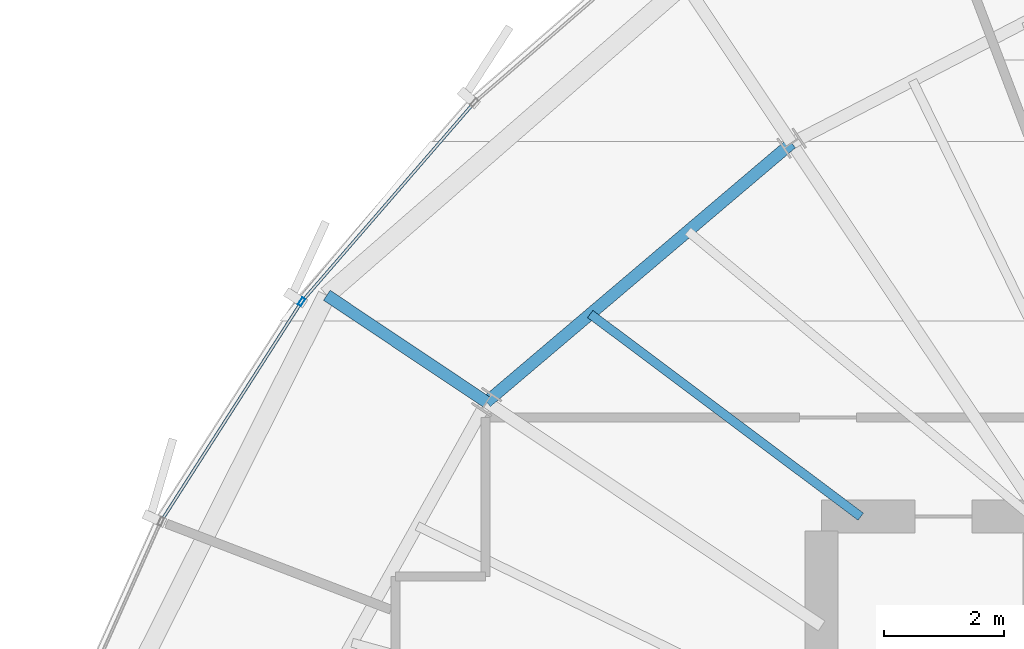
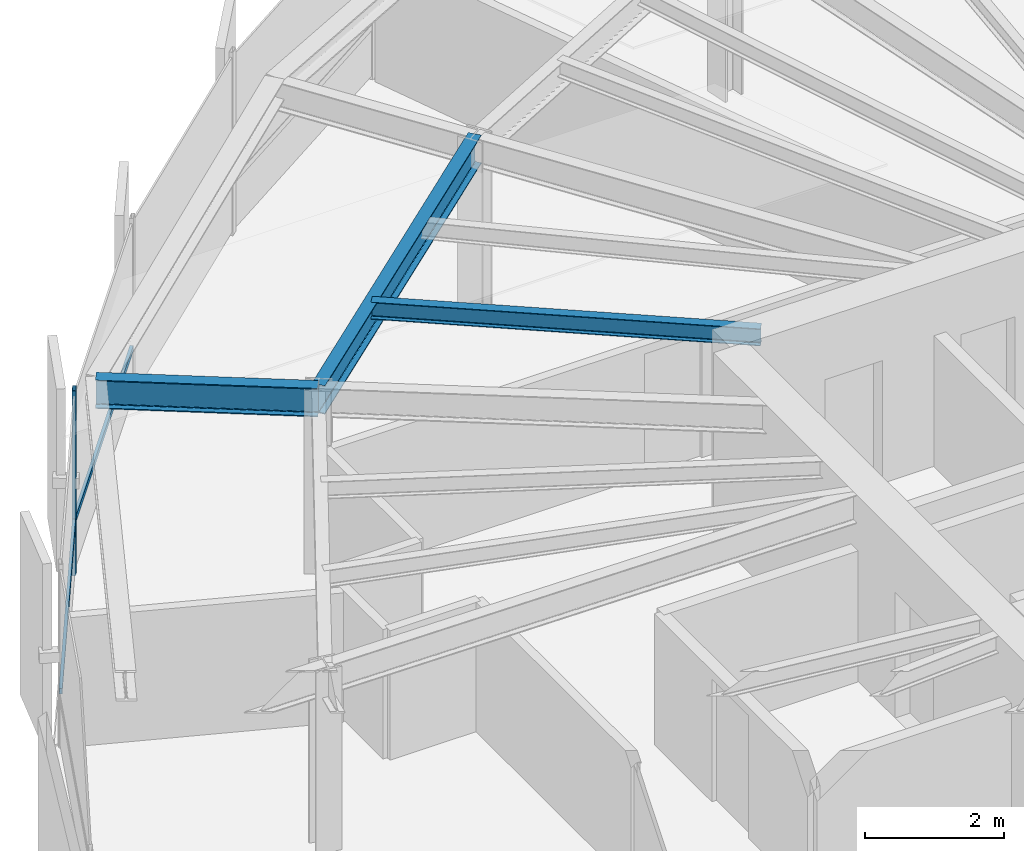
# One storey, part 18 of 34: 3 beams, 3 members, 1 element without a shape of its own.
"""IFC4 building model written with IfcOpenShell, lengths in metres."""

from ifc_helpers import new_model, si_unit, direction, frame, origin, origin_2d, place, context, subcontext, project, spatial, hollow_rectangle, i_section, extrude, source, transform, mapped, material, layer, layer_set, material_profile, profile_set, type_object, element, aggregate, save


model = new_model("IFC4")

# Units and contexts
model_context = context("Model", 3, precision=1e-05, world=origin(), true_north=direction((0.0, 1.0)))
body_context = subcontext(model_context, "Body", "Model", "MODEL_VIEW")
ifc_project = project(units=[si_unit("LENGTHUNIT", "METRE"), si_unit("AREAUNIT", "SQUARE_METRE"), si_unit("VOLUMEUNIT", "CUBIC_METRE"), si_unit("PLANEANGLEUNIT", "RADIAN"), si_unit("MASSUNIT", "GRAM", prefix="KILO"), si_unit("THERMODYNAMICTEMPERATUREUNIT", "KELVIN")], contexts=[model_context])

# Site, building, storey
site_placement = place(None, origin())
site = spatial("IfcSite", under=ifc_project, at=site_placement, CompositionType="ELEMENT")
building_placement = place(site_placement, origin())
building = spatial("IfcBuilding", under=site, at=building_placement, Name="Kethvar Cultural Tower", CompositionType="ELEMENT")
storey_placement = place(building_placement, frame((0.0, 0.0, 214.89990234375)))
storey = spatial("IfcBuildingStorey", under=building, at=storey_placement, Name="L56", CompositionType="ELEMENT", Elevation=214.89990234375)

# Beams
ifc_material_1 = material(Name="Steel S355J2", Category="steel")
ifc_material_profile_1 = material_profile(ifc_material_1, i_section(OverallWidth=0.199951171875, OverallDepth=0.5, WebThickness=0.01025390625, FlangeThickness=0.01611328125, FilletRadius=0.02099609375, at=origin_2d()), Name="Steel S355J2 — IPE500")
ifc_profile_set_1 = profile_set([ifc_material_profile_1], Name="Steel S355J2 — IPE500")
beam_type_1 = type_object("IfcBeamType", Name="BM-IPE500", PredefinedType="BEAM", material=ifc_profile_set_1)
shared_shape_1 = source(origin(), body_context, "Body", "SweptSolid", [
    extrude(i_section(OverallWidth=0.199951171875, OverallDepth=0.5, WebThickness=0.01025390625, FlangeThickness=0.01611328125, FilletRadius=0.02099609375, at=origin_2d()), origin(), (0.0, 0.0, 1.0), 3.199951171875),
])
beam_1_placement = place(storey_placement, frame((32.418212890625, 37.409423828125, 2.988037109375), z_axis=(-0.831462943996, 0.555580212716, 0.0), x_axis=(-0.555580212716, -0.831462943996, 0.0)))
element("IfcBeam", 1, at=beam_1_placement, inside=storey, type_object=beam_type_1, Name="L56 Perimeter Cantilever Beam RC-07", PredefinedType="BEAM", context=body_context, shape_type="MappedRepresentation", body=[
    mapped(shared_shape_1, transform((0.0, 0.0, 0.0), scale=1.0)),
])
shared_shape_2 = source(origin(), body_context, "Body", "SweptSolid", [
    extrude(i_section(OverallWidth=0.199951171875, OverallDepth=0.5, WebThickness=0.01025390625, FlangeThickness=0.01611328125, FilletRadius=0.02099609375, at=origin_2d()), origin(), (0.0, 0.0, 1.0), 6.6630859375),
])
beam_2_placement = place(storey_placement, frame((37.498779296875, 41.720458984375, 2.988037109375), z_axis=(-0.762490511547, -0.646999397064, 0.0), x_axis=(0.646999397064, -0.762490511547, 0.0)))
element("IfcBeam", 2, at=beam_2_placement, inside=storey, type_object=beam_type_1, Name="L56 Column Ring Tie Beam CR-06", PredefinedType="BEAM", context=body_context, shape_type="MappedRepresentation", body=[
    mapped(shared_shape_2, transform((0.0, 0.0, 0.0), scale=1.0)),
])
ifc_material_profile_2 = material_profile(ifc_material_1, i_section(OverallWidth=0.14990234375, OverallDepth=0.300048828125, WebThickness=0.007080078125, FlangeThickness=0.0107421875, FilletRadius=0.014892578125, at=origin_2d()), Name="Steel S355J2 — IPE300")
ifc_profile_set_2 = profile_set([ifc_material_profile_2], Name="Steel S355J2 — IPE300")
beam_type_2 = type_object("IfcBeamType", Name="BM-J300", PredefinedType="JOIST", material=ifc_profile_set_2)
shared_shape_3 = source(origin(), body_context, "Body", "SweptSolid", [
    extrude(i_section(OverallWidth=0.14990234375, OverallDepth=0.300048828125, WebThickness=0.007080078125, FlangeThickness=0.0107421875, FilletRadius=0.014892578125, at=origin_2d()), origin(), (0.0, 0.0, 1.0), 5.628662109375),
])
beam_3_placement = place(storey_placement, frame((38.64990234375, 35.5, 3.088134765625), z_axis=(-0.800260171956, 0.599652947279, 0.0), x_axis=(-0.599652947279, -0.800260171956, 0.0)))
element("IfcBeam", 3, at=beam_3_placement, inside=storey, type_object=beam_type_2, Name="L56 Composite Floor Joist J-06B", PredefinedType="JOIST", context=body_context, shape_type="MappedRepresentation", body=[
    mapped(shared_shape_3, transform((0.0, 0.0, 0.0), scale=1.0)),
])

# Curtain wall, members
ifc_material_2 = material(Name="Aluminium 6063-T6", Category="aluminium")
ifc_layer = layer(ifc_material_2, 0.179931640625, Name="Aluminium 6063-T6", Category="aluminium")
ifc_layer_set = layer_set([ifc_layer], Name="Aluminium 6063-T6 (180 mm)")
curtain_wall_type = type_object("IfcCurtainWallType", Name="CW-SYS-04-Z34", PredefinedType="NOTDEFINED", material=ifc_layer_set)
curtain_wall_placement = place(storey_placement, origin())
curtain_wall = element("IfcCurtainWall", 4, at=curtain_wall_placement, inside=storey, type_object=curtain_wall_type, Name="L56 Curtain Wall Run 02", PredefinedType="NOTDEFINED")
ifc_material_profile_3 = material_profile(ifc_material_2, hollow_rectangle(XDim=0.06005859375, YDim=0.139892578125, WallThickness=0.0048828125, at=origin_2d()), Name="Aluminium 6063-T6 — RHS140x60x5")
ifc_profile_set_3 = profile_set([ifc_material_profile_3], Name="Aluminium 6063-T6 — RHS140x60x5")
member_type_1 = type_object("IfcMemberType", Name="CW-SYS-04-Z34-MUL", PredefinedType="MULLION", material=ifc_profile_set_3)
shared_shape_4 = source(origin(), body_context, "Body", "SweptSolid", [
    extrude(hollow_rectangle(XDim=0.06005859375, YDim=0.139892578125, WallThickness=0.0048828125, at=origin_2d()), origin(), (0.0, 0.0, 1.0), 3.239990234375),
])
member_1_placement = place(storey_placement, frame((29.33837890625, 39.080078125, 0.0), z_axis=(0.0, 0.0, 1.0), x_axis=(0.842339538642, -0.538947216006, 0.0)))
member_1 = element("IfcMember", 5, at=member_1_placement, type_object=member_type_1, Name="CW-L56-R02 Mullion 5", PredefinedType="MULLION", context=body_context, shape_type="MappedRepresentation", body=[
    mapped(shared_shape_4, transform((0.0, 0.0, 0.0), scale=1.0)),
])
ifc_material_profile_4 = material_profile(ifc_material_2, hollow_rectangle(XDim=0.050048828125, YDim=0.10009765625, WallThickness=0.00390625, at=origin_2d()), Name="Aluminium 6063-T6 — RHS100x50x4")
ifc_profile_set_4 = profile_set([ifc_material_profile_4], Name="Aluminium 6063-T6 — RHS100x50x4")
member_type_2 = type_object("IfcMemberType", Name="CW-SYS-04-Z34-TRN", PredefinedType="USERDEFINED", material=ifc_profile_set_4)
shared_shape_5 = source(origin(), body_context, "Body", "SweptSolid", [
    extrude(hollow_rectangle(XDim=0.050048828125, YDim=0.10009765625, WallThickness=0.00390625, at=origin_2d()), origin(), (0.0, 0.0, 1.0), 4.319580078125),
])
member_2_placement = place(storey_placement, frame((32.185302734375, 42.364990234375, 0.9501953125), z_axis=(-0.654739005952, -0.7558550351, 0.0), x_axis=(0.7558550351, -0.654739005952, 0.0)))
member_2 = element("IfcMember", 6, at=member_2_placement, type_object=member_type_2, Name="CW-L56-R02 Transom 4", ObjectType="TRANSOM", PredefinedType="USERDEFINED", context=body_context, shape_type="MappedRepresentation", body=[
    mapped(shared_shape_5, transform((0.0, 0.0, 0.0), scale=1.0)),
])
shared_shape_6 = source(origin(), body_context, "Body", "SweptSolid", [
    extrude(hollow_rectangle(XDim=0.050048828125, YDim=0.10009765625, WallThickness=0.00390625, at=origin_2d()), origin(), (0.0, 0.0, 1.0), 4.276123046875),
])
member_3_placement = place(storey_placement, frame((29.315185546875, 39.043701171875, 0.9501953125), z_axis=(-0.538975925807, -0.842321168795, 0.0), x_axis=(0.842321168795, -0.538975925807, 0.0)))
member_3 = element("IfcMember", 7, at=member_3_placement, type_object=member_type_2, Name="CW-L56-R02 Transom 5", ObjectType="TRANSOM", PredefinedType="USERDEFINED", context=body_context, shape_type="MappedRepresentation", body=[
    mapped(shared_shape_6, transform((0.0, 0.0, 0.0), scale=1.0)),
])
aggregate(curtain_wall, [member_1, member_2, member_3])

save(model, "model.ifc")
